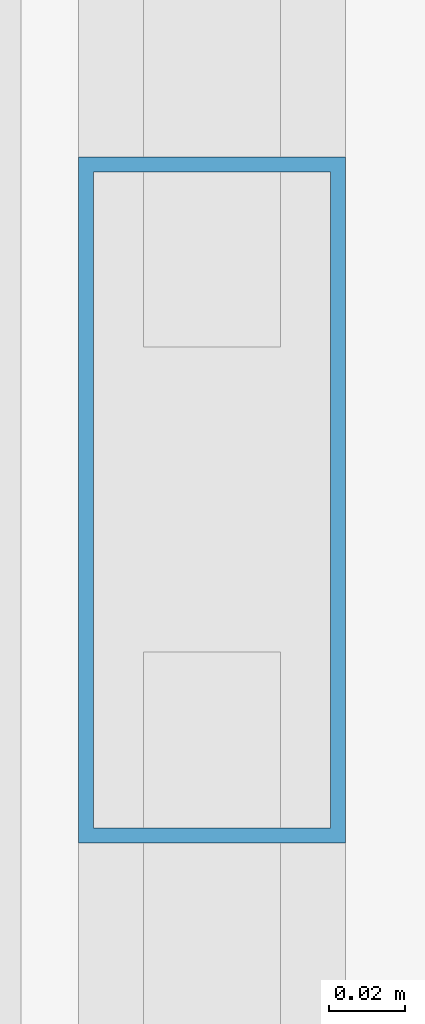
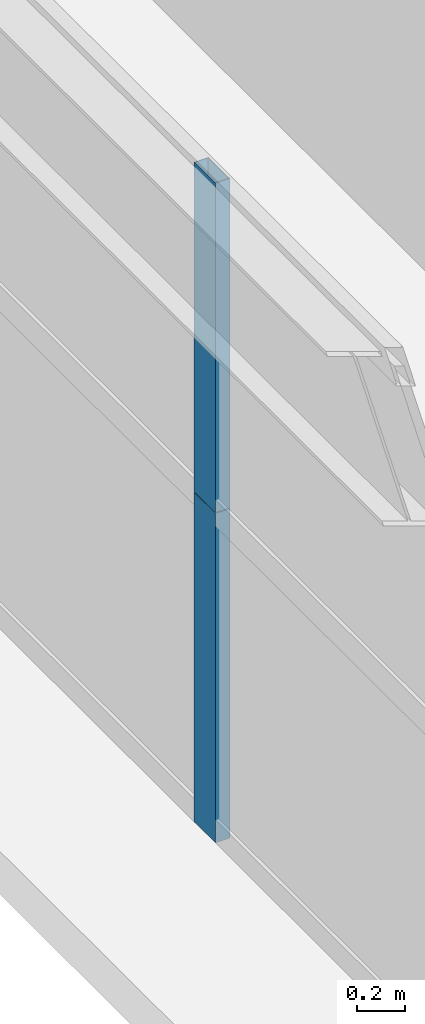
# One storey, part 22 of 43: 2 members, 1 element without a shape of its own.
"""IFC4 building model written with IfcOpenShell, lengths in metres."""

from ifc_helpers import new_model, si_unit, direction, frame, origin, origin_2d, place, context, subcontext, project, spatial, hollow_rectangle, extrude, source, transform, mapped, material, layer, layer_set, material_profile, profile_set, type_object, element, aggregate, save


model = new_model("IFC4")

# Units and contexts
model_context = context("Model", 3, precision=1e-05, world=origin(), true_north=direction((0.0, 1.0)))
body_context = subcontext(model_context, "Body", "Model", "MODEL_VIEW")
ifc_project = project(units=[si_unit("LENGTHUNIT", "METRE"), si_unit("AREAUNIT", "SQUARE_METRE"), si_unit("VOLUMEUNIT", "CUBIC_METRE"), si_unit("PLANEANGLEUNIT", "RADIAN"), si_unit("MASSUNIT", "GRAM", prefix="KILO"), si_unit("THERMODYNAMICTEMPERATUREUNIT", "KELVIN"), si_unit("POWERUNIT", "WATT")], contexts=[model_context])

# Site, building, storey
site_placement = place(None, origin())
site = spatial("IfcSite", under=ifc_project, at=site_placement, CompositionType="ELEMENT")
building_placement = place(site_placement, origin())
building = spatial("IfcBuilding", under=site, at=building_placement, Name="Yuzanri Waterfront Tower", CompositionType="ELEMENT")
storey_placement = place(building_placement, frame((0.0, 0.0, 74.800048828125)))
storey = spatial("IfcBuildingStorey", under=building, at=storey_placement, Name="L19", CompositionType="ELEMENT", Elevation=74.800048828125)

# Curtain wall, members
ifc_material_1 = material(Name="Anodized Architectural Bronze", Category="metal")
ifc_layer = layer(ifc_material_1, 0.159912109375)
ifc_layer_set = layer_set([ifc_layer], Name="Anodized Architectural Bronze")
curtain_wall_type = type_object("IfcCurtainWallType", Name="Anodized Bronze Hotel Lower-Tier Recessed Unitized Curtain Wall 8100", PredefinedType="NOTDEFINED", material=ifc_layer_set)
curtain_wall_placement = place(storey_placement, origin())
curtain_wall = element("IfcCurtainWall", 1, at=curtain_wall_placement, inside=storey, type_object=curtain_wall_type, Name="L19 Curtain Wall CW-L19-WR", PredefinedType="NOTDEFINED")
ifc_material_2 = material(Name="Anodized Architectural Bronze", Category="metal")
ifc_material_profile = material_profile(ifc_material_2, hollow_rectangle(XDim=0.070068359375, YDim=0.179931640625, WallThickness=0.00390625, at=origin_2d()), Name="CWM 70x180")
ifc_profile_set = profile_set([ifc_material_profile], Name="Anodized Architectural Bronze")
member_type = type_object("IfcMemberType", Name="Anodized Bronze Standard Curtain-Wall Mullion 70x180", PredefinedType="MULLION", material=ifc_profile_set)
shared_shape = source(origin(), body_context, "Body", "SweptSolid", [
    extrude(hollow_rectangle(XDim=0.070068359375, YDim=0.179931640625, WallThickness=0.00390625, at=origin_2d()), origin(), (0.0, 0.0, 1.0), 1.68798828125),
])
member_1_placement = place(storey_placement, frame((12.050048828125, 34.89990234375, 0.0), z_axis=(0.0, 0.0, 1.0), x_axis=(1.0, 0.0, 0.0)))
member_1 = element("IfcMember", 2, at=member_1_placement, type_object=member_type, Name="CW-L19-WR Lower Mullion 01", PredefinedType="MULLION", context=body_context, shape_type="MappedRepresentation", body=[
    mapped(shared_shape, transform((0.0, 0.0, 0.0), scale=1.0)),
])
member_2_placement = place(storey_placement, frame((12.050048828125, 34.89990234375, 1.69189453125), z_axis=(0.0, 0.0, 1.0), x_axis=(1.0, 0.0, 0.0)))
member_2 = element("IfcMember", 3, at=member_2_placement, type_object=member_type, Name="CW-L19-WR Upper Mullion 01", PredefinedType="MULLION", context=body_context, shape_type="MappedRepresentation", body=[
    mapped(shared_shape, transform((0.0, 0.0, 0.0), scale=1.0)),
])
aggregate(curtain_wall, [member_1, member_2])

save(model, "model.ifc")
